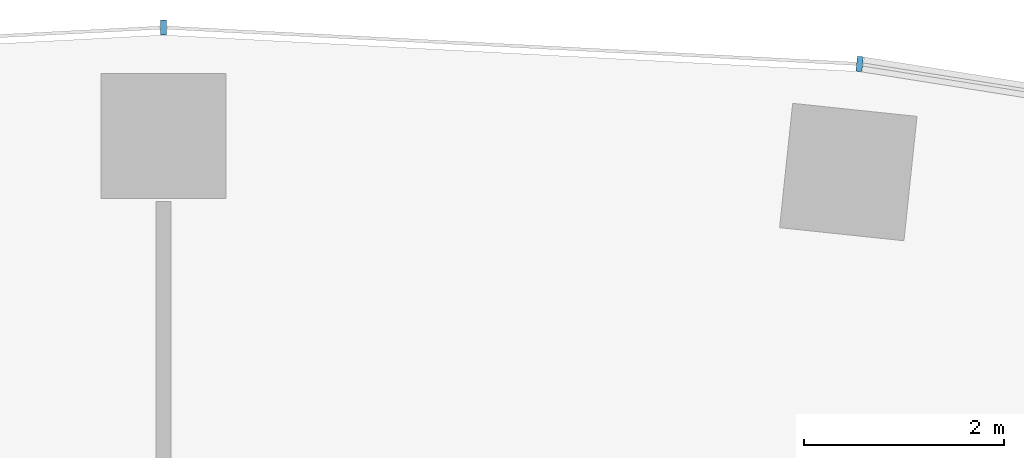
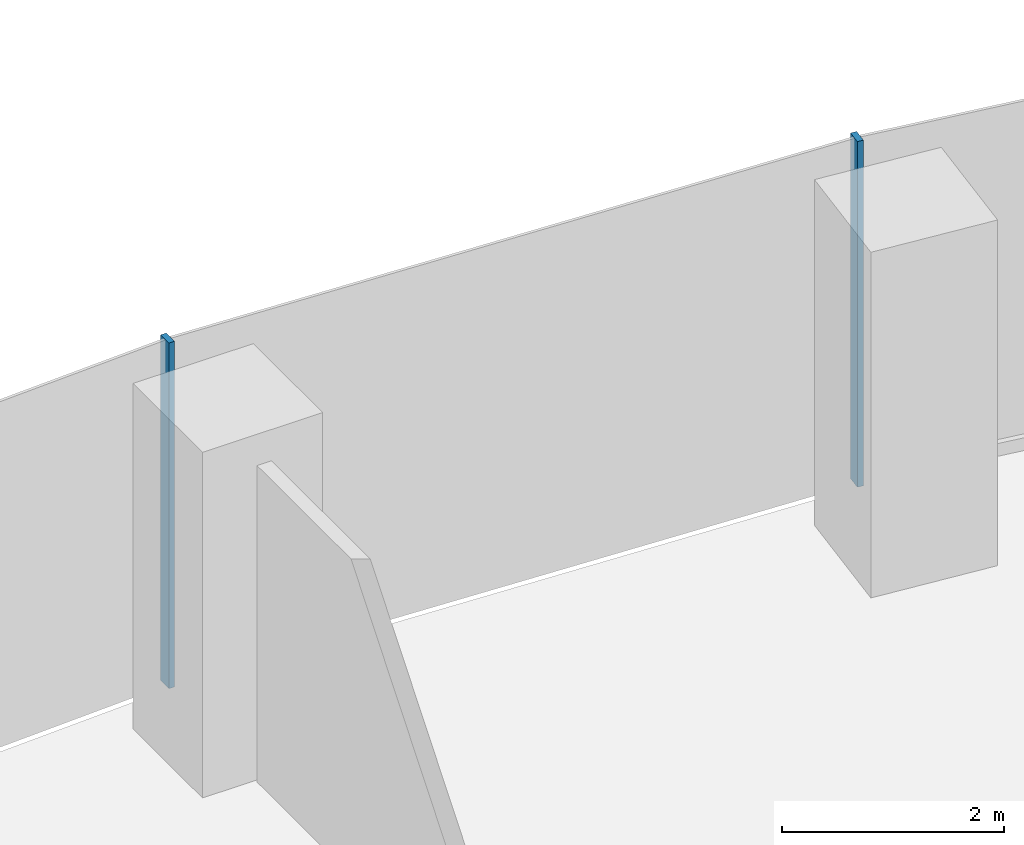
# One storey, part 7 of 21: 2 members, 1 element without a shape of its own.
"""IFC4 building model written with IfcOpenShell, lengths in metres."""

from ifc_helpers import new_model, si_unit, direction, frame, origin, origin_2d, place, context, subcontext, project, spatial, rectangle, extrude, material, layer, layer_set, material_profile, profile_set, type_object, element, aggregate, save


model = new_model("IFC4")

# Units and contexts
model_context = context("Model", 3, precision=1e-05, world=origin(), true_north=direction((0.0, 1.0)))
body_context = subcontext(model_context, "Body", "Model", "MODEL_VIEW")
ifc_project = project(units=[si_unit("LENGTHUNIT", "METRE"), si_unit("AREAUNIT", "SQUARE_METRE"), si_unit("VOLUMEUNIT", "CUBIC_METRE"), si_unit("PLANEANGLEUNIT", "RADIAN"), si_unit("MASSUNIT", "GRAM", prefix="KILO")], contexts=[model_context])

# Site, building, storey
site_placement = place(None, origin())
site = spatial("IfcSite", under=ifc_project, at=site_placement, CompositionType="ELEMENT")
building_placement = place(site_placement, origin())
building = spatial("IfcBuilding", under=site, at=building_placement, Name="Stone Belt Terrace Tower", CompositionType="ELEMENT")
storey_placement = place(building_placement, frame((0.0, 0.0, 60.39990234375)))
storey = spatial("IfcBuildingStorey", under=building, at=storey_placement, Name="L14", CompositionType="ELEMENT", Elevation=60.39990234375)

# Curtain wall, members
ifc_material = material(Name="Aluminium 6063-T6 anodised frame", Category="aluminium")
ifc_layer = layer(ifc_material, 0.14990234375)
ifc_layer_set = layer_set([ifc_layer], Name="CW-A unitised convex-face curtain wall")
curtain_wall_type = type_object("IfcCurtainWallType", Name="CW-A unitised convex-face curtain wall", PredefinedType="NOTDEFINED", material=ifc_layer_set)
curtain_wall_placement = place(storey_placement, origin())
curtain_wall = element("IfcCurtainWall", 1, at=curtain_wall_placement, inside=storey, type_object=curtain_wall_type, Name="CW-A convex face L14", PredefinedType="NOTDEFINED")
ifc_material_profile = material_profile(ifc_material, rectangle(XDim=0.14990234375, YDim=0.06005859375, at=origin_2d()), Name="Aluminium 6063-T6 60x150")
ifc_profile_set = profile_set([ifc_material_profile], Name="Aluminium 6063-T6 anodised frame")
member_type = type_object("IfcMemberType", Name="CW-A mullion 60 x 150", PredefinedType="MULLION", material=ifc_profile_set)
member_1_placement = place(storey_placement, frame((6.958984375, 66.21044921875, 0.0), z_axis=(0.0, 0.0, 1.0), x_axis=(-0.104528463268, -0.994521895368, 0.0)))
member_1 = element("IfcMember", 2, at=member_1_placement, type_object=member_type, Name="CW-A mullion 8", PredefinedType="MULLION", context=body_context, shape_type="SweptSolid", body=[
    extrude(rectangle(XDim=0.14990234375, YDim=0.06005859375, at=origin_2d()), origin(), (0.0, 0.0, 1.0), 3.800048828125),
])
member_2_placement = place(storey_placement, frame((0.0, 66.5751953125, 0.0), z_axis=(0.0, 0.0, 1.0), x_axis=(0.0, -1.0, 0.0)))
member_2 = element("IfcMember", 3, at=member_2_placement, type_object=member_type, Name="CW-A mullion 9", PredefinedType="MULLION", context=body_context, shape_type="SweptSolid", body=[
    extrude(rectangle(XDim=0.14990234375, YDim=0.06005859375, at=origin_2d()), origin(), (0.0, 0.0, 1.0), 3.800048828125),
])
aggregate(curtain_wall, [member_1, member_2])

save(model, "model.ifc")
